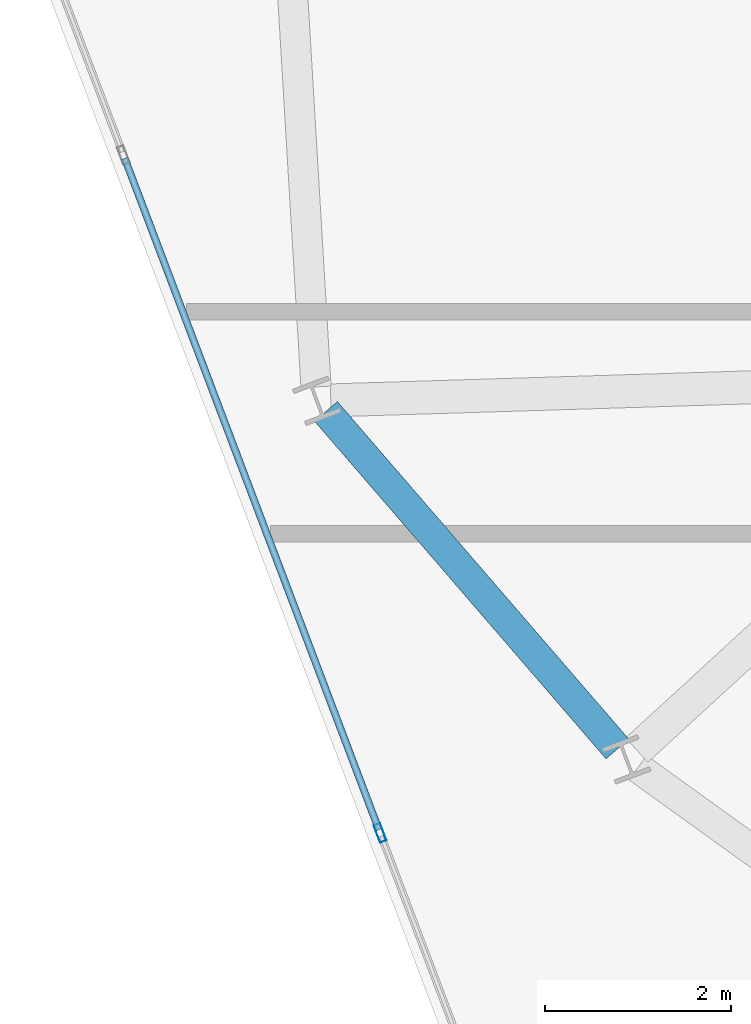
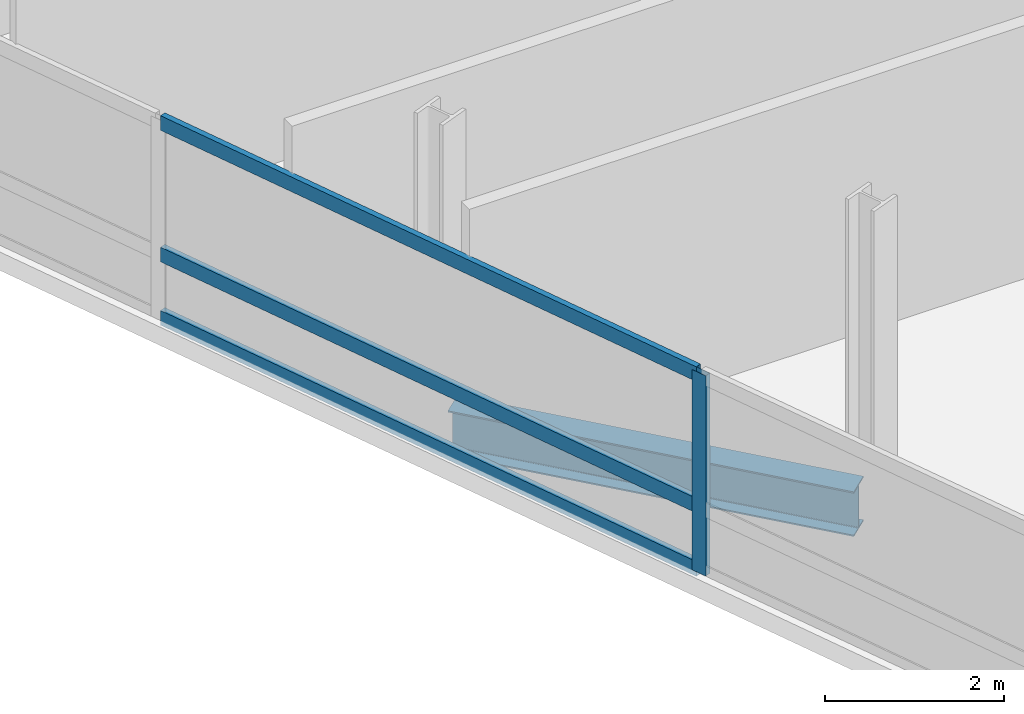
# One storey, part 5 of 20: 4 members, 1 beam, 1 element without a shape of its own.
"""IFC4 building model written with IfcOpenShell, lengths in metres."""

from ifc_helpers import new_model, si_unit, direction, frame, origin, origin_2d, place, context, subcontext, project, spatial, hollow_rectangle, i_section, extrude, material, layer, layer_set, material_profile, profile_set, type_object, element, aggregate, save


model = new_model("IFC4")

# Units and contexts
model_context = context("Model", 3, precision=1e-05, world=origin(), true_north=direction((0.0, 1.0)))
body_context = subcontext(model_context, "Body", "Model", "MODEL_VIEW")
ifc_project = project(units=[si_unit("LENGTHUNIT", "METRE"), si_unit("AREAUNIT", "SQUARE_METRE"), si_unit("VOLUMEUNIT", "CUBIC_METRE"), si_unit("PLANEANGLEUNIT", "RADIAN"), si_unit("MASSUNIT", "GRAM", prefix="KILO")], contexts=[model_context])

# Site, building, storey
site_placement = place(None, origin())
site = spatial("IfcSite", under=ifc_project, at=site_placement, CompositionType="ELEMENT")
building_placement = place(site_placement, origin())
building = spatial("IfcBuilding", under=site, at=building_placement, Name="Varnelok Gate Tower", CompositionType="ELEMENT")
storey_placement = place(building_placement, frame((0.0, 0.0, 238.60009765625)))
storey = spatial("IfcBuildingStorey", under=building, at=storey_placement, Name="L61", CompositionType="ELEMENT", Elevation=238.60009765625)

# Beam
ifc_material_1 = material(Name="Structural Steel ASTM A992 Grade 50", Category="steel")
ifc_material_profile_1 = material_profile(ifc_material_1, i_section(OverallWidth=0.323974609375, OverallDepth=0.611083984375, WebThickness=0.0126953125, FlangeThickness=0.01904296875, FilletRadius=0.01806640625, at=origin_2d()), Name="W24X104")
ifc_profile_set_1 = profile_set([ifc_material_profile_1], Name="Structural Steel ASTM A992 Grade 50")
beam_type = type_object("IfcBeamType", Name="BM-SPN-W24X104", PredefinedType="SPANDREL", material=ifc_profile_set_1)
beam_placement = place(storey_placement, frame((7.79248046875, 18.1669921875, -0.5556640625), z_axis=(0.653484787698, -0.756939649013, 0.0), x_axis=(0.756939649013, 0.653484787698, 0.0)))
element("IfcBeam", 1, at=beam_placement, inside=storey, type_object=beam_type, Name="L61 Perimeter Spandrel Beam 15", PredefinedType="SPANDREL", context=body_context, shape_type="SweptSolid", body=[
    extrude(i_section(OverallWidth=0.323974609375, OverallDepth=0.611083984375, WebThickness=0.0126953125, FlangeThickness=0.01904296875, FilletRadius=0.01806640625, at=origin_2d()), origin(), (0.0, 0.0, 1.0), 4.800048828125),
])

# Curtain wall, members
ifc_material_2 = material(Name="Anodized Aluminum Alloy 6063-T6", Category="aluminium")
ifc_layer = layer(ifc_material_2, 0.179931640625)
ifc_layer_set = layer_set([ifc_layer], Name="Anodized Aluminum Alloy 6063-T6")
curtain_wall_type = type_object("IfcCurtainWallType", Name="CW4-RESIDENCE-VISION", PredefinedType="USERDEFINED", material=ifc_layer_set)
curtain_wall_placement = place(storey_placement, origin())
curtain_wall = element("IfcCurtainWall", 2, at=curtain_wall_placement, inside=storey, type_object=curtain_wall_type, Name="L61 West End Vision Curtain Wall", ObjectType="UNITISED CURTAIN WALL", PredefinedType="USERDEFINED")
ifc_material_profile_2 = material_profile(ifc_material_2, hollow_rectangle(XDim=0.074951171875, YDim=0.199951171875, WallThickness=0.00390625, at=origin_2d()), Name="ALU200X75X4")
ifc_profile_set_2 = profile_set([ifc_material_profile_2], Name="Anodized Aluminum Alloy 6063-T6")
member_type_1 = type_object("IfcMemberType", Name="CW-MULL-200", PredefinedType="MULLION", material=ifc_profile_set_2)
member_1_placement = place(storey_placement, frame((8.375, 13.630126953125, 0.0), z_axis=(0.0, 0.0, 1.0), x_axis=(-0.935221557832, -0.354063042079, 0.0)))
member_1 = element("IfcMember", 3, at=member_1_placement, type_object=member_type_1, Name="CW4 mullion 3", PredefinedType="MULLION", context=body_context, shape_type="SweptSolid", body=[
    extrude(hollow_rectangle(XDim=0.074951171875, YDim=0.199951171875, WallThickness=0.00390625, at=origin_2d()), origin(), (0.0, 0.0, 1.0), 2.72998046875),
])
ifc_material_profile_3 = material_profile(ifc_material_2, hollow_rectangle(XDim=0.074951171875, YDim=0.199951171875, WallThickness=0.00390625, at=origin_2d()), Name="ALU200X75X4")
ifc_profile_set_3 = profile_set([ifc_material_profile_3], Name="Anodized Aluminum Alloy 6063-T6")
member_type_2 = type_object("IfcMemberType", Name="CW-TRAN-200", PredefinedType="USERDEFINED", material=ifc_profile_set_3)
member_2_placement = place(storey_placement, frame((8.36181640625, 13.665283203125, 0.037353515625), z_axis=(-0.354058714128, 0.935223196328, 0.0), x_axis=(-0.935223196328, -0.354058714128, 0.0)))
member_2 = element("IfcMember", 4, at=member_2_placement, type_object=member_type_2, Name="CW4 transom 3.1", ObjectType="TRANSOM", PredefinedType="USERDEFINED", context=body_context, shape_type="SweptSolid", body=[
    extrude(hollow_rectangle(XDim=0.074951171875, YDim=0.199951171875, WallThickness=0.00390625, at=origin_2d()), origin(), (0.0, 0.0, 1.0), 7.72509765625),
])
member_3_placement = place(storey_placement, frame((8.36181640625, 13.665283203125, 0.89990234375), z_axis=(-0.354058714128, 0.935223196328, 0.0), x_axis=(-0.935223196328, -0.354058714128, 0.0)))
member_3 = element("IfcMember", 5, at=member_3_placement, type_object=member_type_2, Name="CW4 transom 3.2", ObjectType="TRANSOM", PredefinedType="USERDEFINED", context=body_context, shape_type="SweptSolid", body=[
    extrude(hollow_rectangle(XDim=0.074951171875, YDim=0.199951171875, WallThickness=0.00390625, at=origin_2d()), origin(), (0.0, 0.0, 1.0), 7.72509765625),
])
member_4_placement = place(storey_placement, frame((8.36181640625, 13.665283203125, 2.6923828125), z_axis=(-0.354058714128, 0.935223196328, 0.0), x_axis=(-0.935223196328, -0.354058714128, 0.0)))
member_4 = element("IfcMember", 6, at=member_4_placement, type_object=member_type_2, Name="CW4 transom 3.3", ObjectType="TRANSOM", PredefinedType="USERDEFINED", context=body_context, shape_type="SweptSolid", body=[
    extrude(hollow_rectangle(XDim=0.074951171875, YDim=0.199951171875, WallThickness=0.00390625, at=origin_2d()), origin(), (0.0, 0.0, 1.0), 7.72509765625),
])
aggregate(curtain_wall, [member_1, member_2, member_3, member_4])

save(model, "model.ifc")
